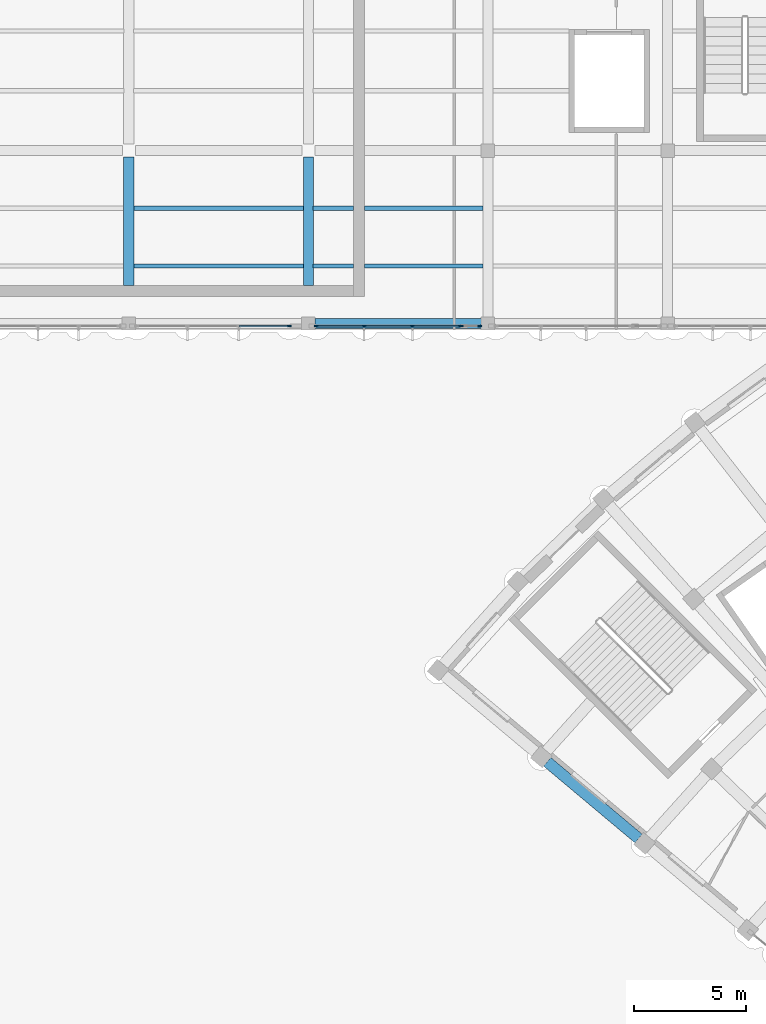
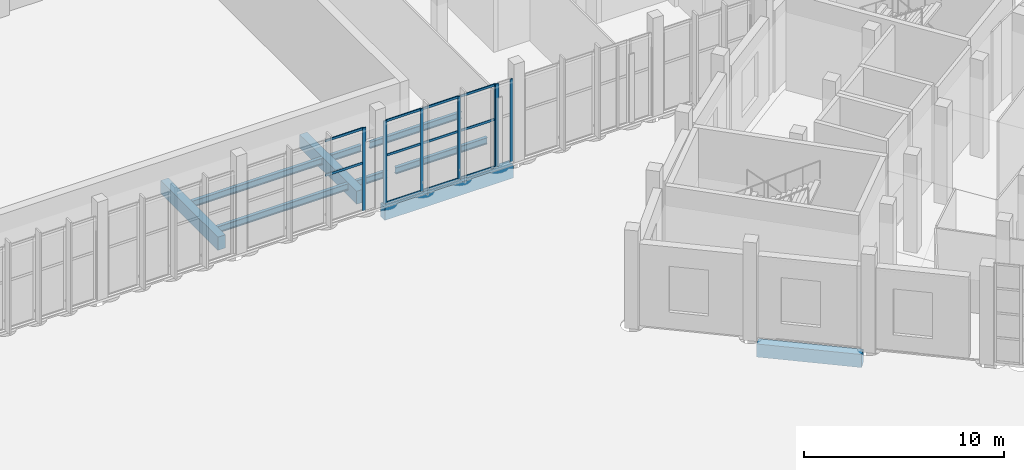
# One storey, part 23 of 155: 18 members, 10 beams, 3 elements without a shape of their own.
"""IFC4 building model written with IfcOpenShell, lengths in metres."""

from ifc_helpers import new_model, si_unit, direction, frame, origin, origin_2d, place, context, subcontext, project, spatial, rectangle, i_section, extrude, material, layer, layer_set, material_profile, profile_set, type_object, element, aggregate, save


model = new_model("IFC4")

# Units and contexts
model_context = context("Model", 3, precision=1e-05, world=origin(), true_north=direction((0.0, 1.0)))
body_context = subcontext(model_context, "Body", "Model", "MODEL_VIEW")
ifc_project = project(units=[si_unit("LENGTHUNIT", "METRE"), si_unit("AREAUNIT", "SQUARE_METRE"), si_unit("VOLUMEUNIT", "CUBIC_METRE"), si_unit("PLANEANGLEUNIT", "RADIAN"), si_unit("MASSUNIT", "GRAM", prefix="KILO")], contexts=[model_context])

# Site, building, storey
site_placement = place(None, origin())
site = spatial("IfcSite", under=ifc_project, at=site_placement, CompositionType="ELEMENT")
building_placement = place(site_placement, origin())
building = spatial("IfcBuilding", under=site, at=building_placement, Name="Lunette Opera House", CompositionType="ELEMENT")
storey_placement = place(building_placement, origin())
storey = spatial("IfcBuildingStorey", under=building, at=storey_placement, Name="L00", CompositionType="ELEMENT", Elevation=0.0)

# Curtain wall, member
ifc_material_1 = material(Name="Aluminium", Category="aluminium")
ifc_layer = layer(ifc_material_1, 0.179931640625)
ifc_layer_set = layer_set([ifc_layer], Name="Aluminium")
curtain_wall_type = type_object("IfcCurtainWallType", Name="SUN FACE CURTAIN WALL", PredefinedType="NOTDEFINED", material=ifc_layer_set)
curtain_wall_1_placement = place(storey_placement, origin())
curtain_wall_1 = element("IfcCurtainWall", 1, at=curtain_wall_1_placement, inside=storey, type_object=curtain_wall_type, Name="Sun Face Curtain Wall F15 L00", PredefinedType="NOTDEFINED")
ifc_material_2 = material(Name="Aluminium", Category="aluminium")
ifc_material_profile_1 = material_profile(ifc_material_2, rectangle(XDim=0.06005859375, YDim=0.179931640625, at=origin_2d()), Name="MULLION 60 X 180")
ifc_profile_set_1 = profile_set([ifc_material_profile_1], Name="Aluminium")
member_type_1 = type_object("IfcMemberType", Name="MULLION 60 X 180", PredefinedType="MULLION", material=ifc_profile_set_1)
member_1_placement = place(storey_placement, frame((31.153076171875, 64.18310546875, 0.0), z_axis=(0.0, 0.0, 1.0), x_axis=(0.0, 1.0, 0.0)))
member_1 = element("IfcMember", 2, at=member_1_placement, type_object=member_type_1, Name="RW-X2009 mullion 4", PredefinedType="MULLION", context=body_context, shape_type="SweptSolid", body=[
    extrude(rectangle(XDim=0.06005859375, YDim=0.179931640625, at=origin_2d()), origin(), (0.0, 0.0, 1.0), 5.050048828125),
])

# Curtain wall, members
curtain_wall_2_placement = place(storey_placement, origin())
curtain_wall_2 = element("IfcCurtainWall", 3, at=curtain_wall_2_placement, inside=storey, type_object=curtain_wall_type, Name="Sun Face Curtain Wall F16 L00", PredefinedType="NOTDEFINED")
member_2_placement = place(storey_placement, frame((32.360107421875, 64.18310546875, 0.0), z_axis=(0.0, 0.0, 1.0), x_axis=(0.0, 1.0, 0.0)))
member_2 = element("IfcMember", 4, at=member_2_placement, type_object=member_type_1, Name="RW-X2010 mullion 1", PredefinedType="MULLION", context=body_context, shape_type="SweptSolid", body=[
    extrude(rectangle(XDim=0.06005859375, YDim=0.179931640625, at=origin_2d()), origin(), (0.0, 0.0, 1.0), 5.050048828125),
])
member_3_placement = place(storey_placement, frame((34.482666015625, 64.18310546875, 0.0), z_axis=(0.0, 0.0, 1.0), x_axis=(0.0, 1.0, 0.0)))
member_3 = element("IfcMember", 5, at=member_3_placement, type_object=member_type_1, Name="RW-X2010 mullion 2", PredefinedType="MULLION", context=body_context, shape_type="SweptSolid", body=[
    extrude(rectangle(XDim=0.06005859375, YDim=0.179931640625, at=origin_2d()), origin(), (0.0, 0.0, 1.0), 5.050048828125),
])
member_4_placement = place(storey_placement, frame((36.63525390625, 64.18310546875, 0.0), z_axis=(0.0, 0.0, 1.0), x_axis=(0.0, 1.0, 0.0)))
member_4 = element("IfcMember", 6, at=member_4_placement, type_object=member_type_1, Name="RW-X2010 mullion 3", PredefinedType="MULLION", context=body_context, shape_type="SweptSolid", body=[
    extrude(rectangle(XDim=0.06005859375, YDim=0.179931640625, at=origin_2d()), origin(), (0.0, 0.0, 1.0), 5.050048828125),
])
member_5_placement = place(storey_placement, frame((38.758056640625, 64.18310546875, 0.0), z_axis=(0.0, 0.0, 1.0), x_axis=(0.0, 1.0, 0.0)))
member_5 = element("IfcMember", 7, at=member_5_placement, type_object=member_type_1, Name="RW-X2010 mullion 4", PredefinedType="MULLION", context=body_context, shape_type="SweptSolid", body=[
    extrude(rectangle(XDim=0.06005859375, YDim=0.179931640625, at=origin_2d()), origin(), (0.0, 0.0, 1.0), 5.050048828125),
])

curtain_wall_3_placement = place(storey_placement, origin())
curtain_wall_3 = element("IfcCurtainWall", 8, at=curtain_wall_3_placement, inside=storey, type_object=curtain_wall_type, Name="Sun Face Curtain Wall F17-1 L00", PredefinedType="NOTDEFINED")
member_6_placement = place(storey_placement, frame((38.818115234375, 64.18310546875, 0.0), z_axis=(0.0, 0.0, 1.0), x_axis=(0.0, 1.0, 0.0)))
member_6 = element("IfcMember", 9, at=member_6_placement, type_object=member_type_1, Name="RW-X2011 mullion 1", PredefinedType="MULLION", context=body_context, shape_type="SweptSolid", body=[
    extrude(rectangle(XDim=0.06005859375, YDim=0.179931640625, at=origin_2d()), origin(), (0.0, 0.0, 1.0), 5.050048828125),
])
member_7_placement = place(storey_placement, frame((39.639892578125, 64.18310546875, 0.0), z_axis=(0.0, 0.0, 1.0), x_axis=(0.0, 1.0, 0.0)))
member_7 = element("IfcMember", 10, at=member_7_placement, type_object=member_type_1, Name="RW-X2011 mullion 2", PredefinedType="MULLION", context=body_context, shape_type="SweptSolid", body=[
    extrude(rectangle(XDim=0.06005859375, YDim=0.179931640625, at=origin_2d()), origin(), (0.0, 0.0, 1.0), 5.050048828125),
])
aggregate(curtain_wall_3, [member_6, member_7])

# Beams
ifc_material_3 = material(Name="Concrete C35/45", Category="concrete")
ifc_material_profile_2 = material_profile(ifc_material_3, rectangle(XDim=0.449951171875, YDim=0.800048828125, at=origin_2d()), Name="RC BEAM 450X800")
ifc_profile_set_2 = profile_set([ifc_material_profile_2], Name="Concrete C35/45")
beam_type_1 = type_object("IfcBeamType", Name="RC BEAM 450X800", PredefinedType="BEAM", material=ifc_profile_set_2)
for number, where, z_axis, x_axis, name in (
    (11, (24.0, 65.989990234375, -0.550048828125), (0.0, 1.0, 0.0), (-1.0, 0.0, 0.0), "beam-RW-L00-L00-GY20"),
    (12, (32.0, 65.989990234375, -0.550048828125), (0.0, 1.0, 0.0), (-1.0, 0.0, 0.0), "beam-RW-L00-L00-GY30"),
):
    element("IfcBeam", number, at=place(storey_placement, frame(where, z_axis=z_axis, x_axis=x_axis)), inside=storey, type_object=beam_type_1, Name=name, PredefinedType="BEAM", context=body_context, shape_type="SweptSolid", body=[
        extrude(rectangle(XDim=0.449951171875, YDim=0.800048828125, at=origin_2d()), origin(), (0.0, 0.0, 1.0), 5.719970703125),
    ])
beam_1_placement = place(storey_placement, frame((32.2900390625, 64.300048828125, -0.550048828125), z_axis=(1.0, 0.0, 0.0), x_axis=(0.0, 1.0, 0.0)))
element("IfcBeam", 13, at=beam_1_placement, inside=storey, type_object=beam_type_1, Name="beam-RW-L00-L00-GX30", PredefinedType="BEAM", context=body_context, shape_type="SweptSolid", body=[
    extrude(rectangle(XDim=0.449951171875, YDim=0.800048828125, at=origin_2d()), origin(), (0.0, 0.0, 1.0), 7.419921875),
])
ifc_material_4 = material(Name="Concrete C35/45", Category="concrete")
ifc_material_profile_3 = material_profile(ifc_material_4, rectangle(XDim=0.5, YDim=0.800048828125, at=origin_2d()), Name="RC BEAM 500X800")
ifc_profile_set_3 = profile_set([ifc_material_profile_3], Name="Concrete C35/45")
beam_type_2 = type_object("IfcBeamType", Name="RC BEAM 500X800", PredefinedType="BEAM", material=ifc_profile_set_3)
beam_2_placement = place(storey_placement, frame((46.712890625, 41.35693359375, -0.6201171875), z_axis=(-0.76603920911, 0.642793847285, 0.0), x_axis=(-0.642793847285, -0.76603920911, 0.0)))
element("IfcBeam", 14, at=beam_2_placement, inside=storey, type_object=beam_type_2, Name="beam-FC-L00-L00-RB-RL-01-3", PredefinedType="BEAM", context=body_context, shape_type="SweptSolid", body=[
    extrude(rectangle(XDim=0.5, YDim=0.800048828125, at=origin_2d()), origin(), (0.0, 0.0, 1.0), 5.32080078125),
])
ifc_material_5 = material(Name="Steel S355", Category="steel")
ifc_material_profile_4 = material_profile(ifc_material_5, i_section(OverallWidth=0.179931640625, OverallDepth=0.39990234375, WebThickness=0.008544921875, FlangeThickness=0.013427734375, FilletRadius=0.02099609375, at=origin_2d()), Name="IPE 400")
ifc_profile_set_4 = profile_set([ifc_material_profile_4], Name="Steel S355")
beam_type_3 = type_object("IfcBeamType", Name="STEEL BEAM IPE 400", PredefinedType="BEAM", material=ifc_profile_set_4)
for number, where, z_axis, x_axis, name in (
    (15, (24.215087890625, 66.866943359375, -0.35009765625), (1.0, 0.0, 0.0), (0.0, 1.0, 0.0), "beam-RW-L00-L00-SX201"),
    (16, (24.215087890625, 69.43310546875, -0.35009765625), (1.0, 0.0, 0.0), (0.0, 1.0, 0.0), "beam-RW-L00-L00-SX202"),
):
    element("IfcBeam", number, at=place(storey_placement, frame(where, z_axis=z_axis, x_axis=x_axis)), inside=storey, type_object=beam_type_3, Name=name, PredefinedType="BEAM", context=body_context, shape_type="SweptSolid", body=[
        extrude(i_section(OverallWidth=0.179931640625, OverallDepth=0.39990234375, WebThickness=0.008544921875, FlangeThickness=0.013427734375, FilletRadius=0.02099609375, at=origin_2d()), origin(), (0.0, 0.0, 1.0), 7.56982421875),
    ])
beam_3_placement = place(storey_placement, frame((32.215087890625, 66.866943359375, -0.35009765625), z_axis=(1.0, 0.0, 0.0), x_axis=(0.0, 1.0, 0.0)))
element("IfcBeam", 17, at=beam_3_placement, inside=storey, type_object=beam_type_3, Name="beam-RW-L00-L00-SX301", PredefinedType="BEAM", context=body_context, shape_type="SweptSolid", body=[
    extrude(i_section(OverallWidth=0.179931640625, OverallDepth=0.39990234375, WebThickness=0.008544921875, FlangeThickness=0.013427734375, FilletRadius=0.02099609375, at=origin_2d()), origin(), (0.0, 0.0, 1.0), 1.784912109375),
])
beam_4_placement = place(storey_placement, frame((34.5, 66.866943359375, -0.35009765625), z_axis=(1.0, 0.0, 0.0), x_axis=(0.0, 1.0, 0.0)))
element("IfcBeam", 18, at=beam_4_placement, inside=storey, type_object=beam_type_3, Name="beam-RW-L00-L00-SX301-01", PredefinedType="BEAM", context=body_context, shape_type="SweptSolid", body=[
    extrude(i_section(OverallWidth=0.179931640625, OverallDepth=0.39990234375, WebThickness=0.008544921875, FlangeThickness=0.013427734375, FilletRadius=0.02099609375, at=origin_2d()), origin(), (0.0, 0.0, 1.0), 5.284912109375),
])
beam_5_placement = place(storey_placement, frame((32.215087890625, 69.43310546875, -0.35009765625), z_axis=(1.0, 0.0, 0.0), x_axis=(0.0, 1.0, 0.0)))
element("IfcBeam", 19, at=beam_5_placement, inside=storey, type_object=beam_type_3, Name="beam-RW-L00-L00-SX302", PredefinedType="BEAM", context=body_context, shape_type="SweptSolid", body=[
    extrude(i_section(OverallWidth=0.179931640625, OverallDepth=0.39990234375, WebThickness=0.008544921875, FlangeThickness=0.013427734375, FilletRadius=0.02099609375, at=origin_2d()), origin(), (0.0, 0.0, 1.0), 1.784912109375),
])
beam_6_placement = place(storey_placement, frame((34.5, 69.43310546875, -0.35009765625), z_axis=(1.0, 0.0, 0.0), x_axis=(0.0, 1.0, 0.0)))
element("IfcBeam", 20, at=beam_6_placement, inside=storey, type_object=beam_type_3, Name="beam-RW-L00-L00-SX302-01", PredefinedType="BEAM", context=body_context, shape_type="SweptSolid", body=[
    extrude(i_section(OverallWidth=0.179931640625, OverallDepth=0.39990234375, WebThickness=0.008544921875, FlangeThickness=0.013427734375, FilletRadius=0.02099609375, at=origin_2d()), origin(), (0.0, 0.0, 1.0), 5.284912109375),
])

# Member
ifc_material_6 = material(Name="Aluminium", Category="aluminium")
ifc_material_profile_5 = material_profile(ifc_material_6, rectangle(XDim=0.06005859375, YDim=0.139892578125, at=origin_2d()), Name="TRANSOM 60 X 140")
ifc_profile_set_5 = profile_set([ifc_material_profile_5], Name="Aluminium")
member_type_2 = type_object("IfcMemberType", Name="TRANSOM 60 X 140", PredefinedType="USERDEFINED", material=ifc_profile_set_5)
member_8_placement = place(storey_placement, frame((28.9287109375, 64.18310546875, 2.925048828125), z_axis=(1.0, 0.0, 0.0), x_axis=(0.0, 1.0, 0.0)))
member_8 = element("IfcMember", 21, at=member_8_placement, type_object=member_type_2, Name="RW-X2009 transom 3.2", ObjectType="TRANSOM", PredefinedType="USERDEFINED", context=body_context, shape_type="SweptSolid", body=[
    extrude(rectangle(XDim=0.06005859375, YDim=0.139892578125, at=origin_2d()), origin(), (0.0, 0.0, 1.0), 2.1943359375),
])

member_9_placement = place(storey_placement, frame((28.9287109375, 64.18310546875, 5.02001953125), z_axis=(1.0, 0.0, 0.0), x_axis=(0.0, 1.0, 0.0)))
member_9 = element("IfcMember", 22, at=member_9_placement, type_object=member_type_2, Name="RW-X2009 transom 3.3", ObjectType="TRANSOM", PredefinedType="USERDEFINED", context=body_context, shape_type="SweptSolid", body=[
    extrude(rectangle(XDim=0.06005859375, YDim=0.139892578125, at=origin_2d()), origin(), (0.0, 0.0, 1.0), 2.1943359375),
])

aggregate(curtain_wall_1, [member_1, member_8, member_9])

member_10_placement = place(storey_placement, frame((32.389892578125, 64.18310546875, 0.030029296875), z_axis=(1.0, 0.0, 0.0), x_axis=(0.0, 1.0, 0.0)))
member_10 = element("IfcMember", 23, at=member_10_placement, type_object=member_type_2, Name="RW-X2010 transom 1.1", ObjectType="TRANSOM", PredefinedType="USERDEFINED", context=body_context, shape_type="SweptSolid", body=[
    extrude(rectangle(XDim=0.06005859375, YDim=0.139892578125, at=origin_2d()), origin(), (0.0, 0.0, 1.0), 2.062744140625),
])

member_11_placement = place(storey_placement, frame((32.389892578125, 64.18310546875, 2.925048828125), z_axis=(1.0, 0.0, 0.0), x_axis=(0.0, 1.0, 0.0)))
member_11 = element("IfcMember", 24, at=member_11_placement, type_object=member_type_2, Name="RW-X2010 transom 1.2", ObjectType="TRANSOM", PredefinedType="USERDEFINED", context=body_context, shape_type="SweptSolid", body=[
    extrude(rectangle(XDim=0.06005859375, YDim=0.139892578125, at=origin_2d()), origin(), (0.0, 0.0, 1.0), 2.062744140625),
])

member_12_placement = place(storey_placement, frame((32.389892578125, 64.18310546875, 5.02001953125), z_axis=(1.0, 0.0, 0.0), x_axis=(0.0, 1.0, 0.0)))
member_12 = element("IfcMember", 25, at=member_12_placement, type_object=member_type_2, Name="RW-X2010 transom 1.3", ObjectType="TRANSOM", PredefinedType="USERDEFINED", context=body_context, shape_type="SweptSolid", body=[
    extrude(rectangle(XDim=0.06005859375, YDim=0.139892578125, at=origin_2d()), origin(), (0.0, 0.0, 1.0), 2.062744140625),
])

member_13_placement = place(storey_placement, frame((34.5126953125, 64.18310546875, 0.030029296875), z_axis=(1.0, 0.0, 0.0), x_axis=(0.0, 1.0, 0.0)))
member_13 = element("IfcMember", 26, at=member_13_placement, type_object=member_type_2, Name="RW-X2010 transom 2.1", ObjectType="TRANSOM", PredefinedType="USERDEFINED", context=body_context, shape_type="SweptSolid", body=[
    extrude(rectangle(XDim=0.06005859375, YDim=0.139892578125, at=origin_2d()), origin(), (0.0, 0.0, 1.0), 2.092529296875),
])

member_14_placement = place(storey_placement, frame((34.5126953125, 64.18310546875, 2.925048828125), z_axis=(1.0, 0.0, 0.0), x_axis=(0.0, 1.0, 0.0)))
member_14 = element("IfcMember", 27, at=member_14_placement, type_object=member_type_2, Name="RW-X2010 transom 2.2", ObjectType="TRANSOM", PredefinedType="USERDEFINED", context=body_context, shape_type="SweptSolid", body=[
    extrude(rectangle(XDim=0.06005859375, YDim=0.139892578125, at=origin_2d()), origin(), (0.0, 0.0, 1.0), 2.092529296875),
])

member_15_placement = place(storey_placement, frame((34.5126953125, 64.18310546875, 5.02001953125), z_axis=(1.0, 0.0, 0.0), x_axis=(0.0, 1.0, 0.0)))
member_15 = element("IfcMember", 28, at=member_15_placement, type_object=member_type_2, Name="RW-X2010 transom 2.3", ObjectType="TRANSOM", PredefinedType="USERDEFINED", context=body_context, shape_type="SweptSolid", body=[
    extrude(rectangle(XDim=0.06005859375, YDim=0.139892578125, at=origin_2d()), origin(), (0.0, 0.0, 1.0), 2.092529296875),
])

member_16_placement = place(storey_placement, frame((36.665283203125, 64.18310546875, 0.030029296875), z_axis=(1.0, 0.0, 0.0), x_axis=(0.0, 1.0, 0.0)))
member_16 = element("IfcMember", 29, at=member_16_placement, type_object=member_type_2, Name="RW-X2010 transom 3.1", ObjectType="TRANSOM", PredefinedType="USERDEFINED", context=body_context, shape_type="SweptSolid", body=[
    extrude(rectangle(XDim=0.06005859375, YDim=0.139892578125, at=origin_2d()), origin(), (0.0, 0.0, 1.0), 2.062744140625),
])

member_17_placement = place(storey_placement, frame((36.665283203125, 64.18310546875, 2.925048828125), z_axis=(1.0, 0.0, 0.0), x_axis=(0.0, 1.0, 0.0)))
member_17 = element("IfcMember", 30, at=member_17_placement, type_object=member_type_2, Name="RW-X2010 transom 3.2", ObjectType="TRANSOM", PredefinedType="USERDEFINED", context=body_context, shape_type="SweptSolid", body=[
    extrude(rectangle(XDim=0.06005859375, YDim=0.139892578125, at=origin_2d()), origin(), (0.0, 0.0, 1.0), 2.062744140625),
])

member_18_placement = place(storey_placement, frame((36.665283203125, 64.18310546875, 5.02001953125), z_axis=(1.0, 0.0, 0.0), x_axis=(0.0, 1.0, 0.0)))
member_18 = element("IfcMember", 31, at=member_18_placement, type_object=member_type_2, Name="RW-X2010 transom 3.3", ObjectType="TRANSOM", PredefinedType="USERDEFINED", context=body_context, shape_type="SweptSolid", body=[
    extrude(rectangle(XDim=0.06005859375, YDim=0.139892578125, at=origin_2d()), origin(), (0.0, 0.0, 1.0), 2.062744140625),
])

aggregate(curtain_wall_2, [member_2, member_3, member_4, member_5, member_10, member_11, member_12, member_13, member_14, member_15, member_16, member_17, member_18])

save(model, "model.ifc")
